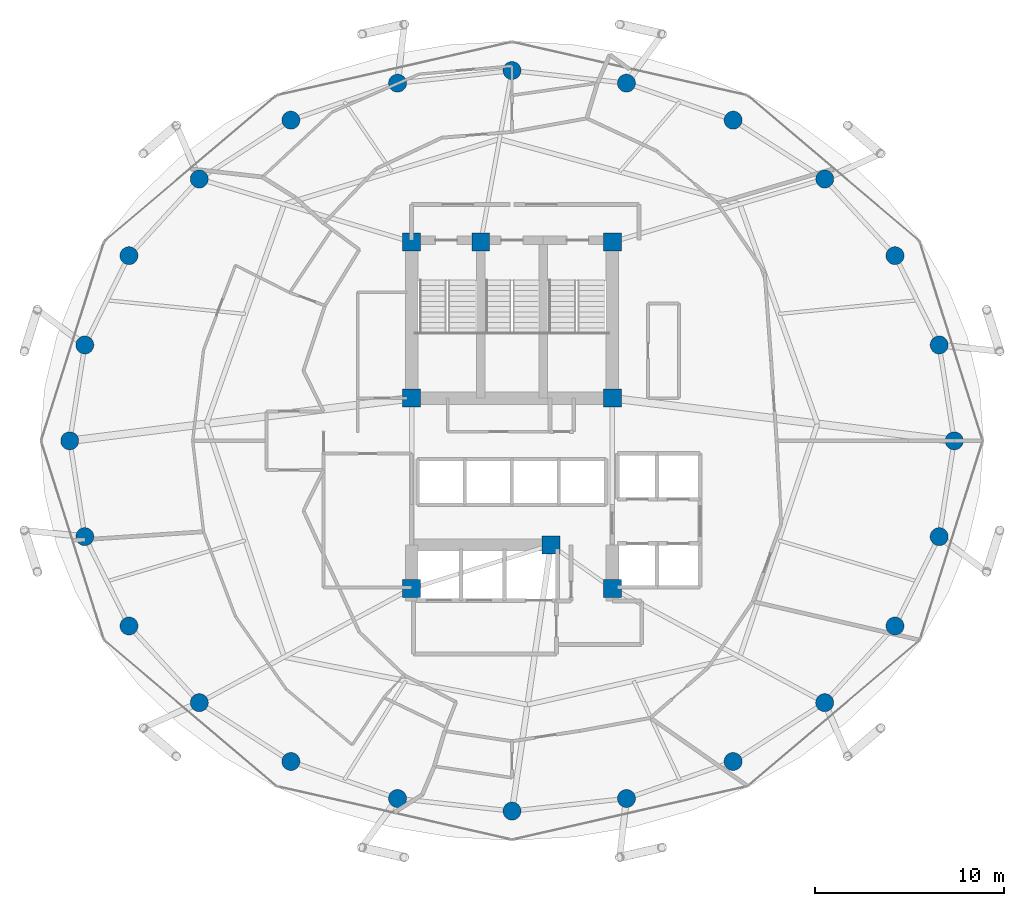
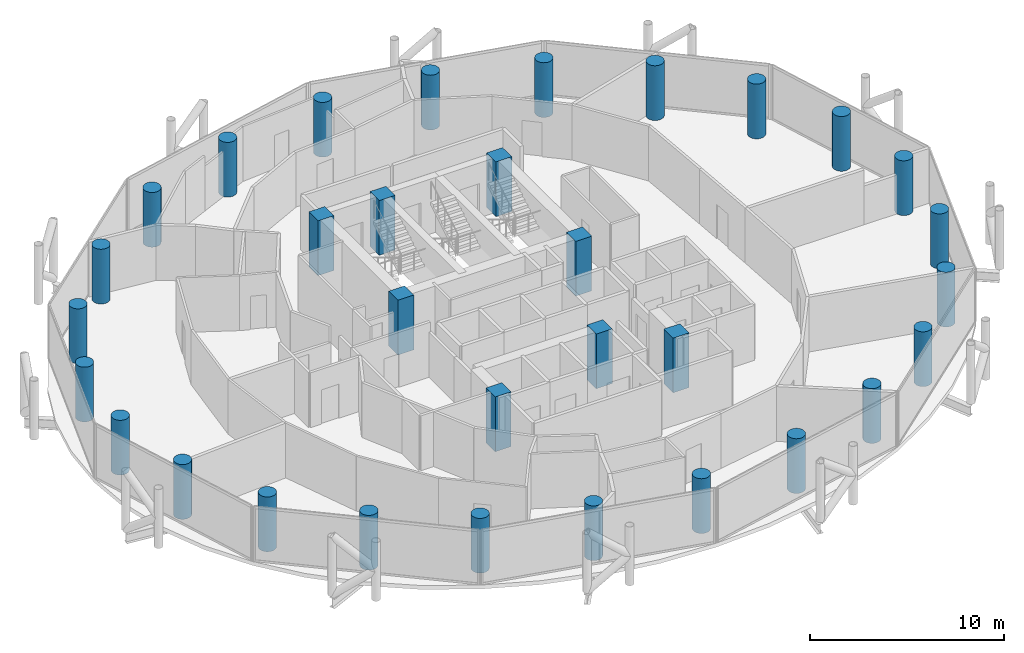
# One storey, part 1 of 26: 32 columns.
"""IFC4 building model written with IfcOpenShell, lengths in metres."""

from ifc_helpers import new_model, si_unit, direction, frame, origin, origin_2d, place, context, subcontext, project, spatial, rectangle, circle, extrude, material, material_profile, profile_set, type_object, element, save


model = new_model("IFC4")

# Units and contexts
model_context = context("Model", 3, precision=1e-05, world=origin(), true_north=direction((0.0, 1.0)))
body_context = subcontext(model_context, "Body", "Model", "MODEL_VIEW")
ifc_project = project(units=[si_unit("LENGTHUNIT", "METRE"), si_unit("AREAUNIT", "SQUARE_METRE"), si_unit("VOLUMEUNIT", "CUBIC_METRE"), si_unit("PLANEANGLEUNIT", "RADIAN"), si_unit("MASSUNIT", "GRAM", prefix="KILO")], contexts=[model_context])

# Site, building, storey
site_placement = place(None, origin())
site = spatial("IfcSite", under=ifc_project, at=site_placement, CompositionType="ELEMENT")
building_placement = place(site_placement, origin())
building = spatial("IfcBuilding", under=site, at=building_placement, Name="Nuhasar Tower", CompositionType="ELEMENT")
storey_placement = place(building_placement, frame((0.0, 0.0, 155.25)))
storey = spatial("IfcBuildingStorey", under=building, at=storey_placement, Name="L37", CompositionType="ELEMENT", Elevation=155.25)

# Columns
ifc_material = material(Name="Concrete C65/80", Category="concrete")
ifc_material_profile_1 = material_profile(ifc_material, circle(Radius=0.47509765625, at=origin_2d()), Name="CFT950")
ifc_profile_set_1 = profile_set([ifc_material_profile_1], Name="Concrete C65/80")
column_type_1 = type_object("IfcColumnType", Name="COL-CFT-950", PredefinedType="COLUMN", material=ifc_profile_set_1)
for number, where, z_axis, x_axis, name in (
    (1, (62.35009765625, 26.800048828125, 0.0), (0.0, 0.0, 1.0), (1.0, 0.0, 0.0), "L37 Perimeter Composite Column TC-01"),
    (2, (61.553955078125, 31.860107421875, 0.0), (0.0, 0.0, 1.0), (1.0, 0.0, 0.0), "L37 Perimeter Composite Column TC-02"),
    (3, (59.221923828125, 36.574951171875, 0.0), (0.0, 0.0, 1.0), (1.0, 0.0, 0.0), "L37 Perimeter Composite Column TC-03"),
    (4, (55.510986328125, 40.6240234375, 0.0), (0.0, 0.0, 1.0), (1.0, 0.0, 0.0), "L37 Perimeter Composite Column TC-04"),
    (5, (50.675048828125, 43.73095703125, 0.0), (0.0, 0.0, 1.0), (1.0, 0.0, 0.0), "L37 Perimeter Composite Column TC-05"),
    (6, (45.04296875, 45.68408203125, 0.0), (0.0, 0.0, 1.0), (1.0, 0.0, 0.0), "L37 Perimeter Composite Column TC-06"),
    (7, (39.0, 46.35009765625, 0.0), (0.0, 0.0, 1.0), (1.0, 0.0, 0.0), "L37 Perimeter Composite Column TC-07"),
    (8, (32.95703125, 45.68408203125, 0.0), (0.0, 0.0, 1.0), (1.0, 0.0, 0.0), "L37 Perimeter Composite Column TC-08"),
    (9, (27.324951171875, 43.73095703125, 0.0), (0.0, 0.0, 1.0), (1.0, 0.0, 0.0), "L37 Perimeter Composite Column TC-09"),
    (10, (22.489013671875, 40.6240234375, 0.0), (0.0, 0.0, 1.0), (1.0, 0.0, 0.0), "L37 Perimeter Composite Column TC-10"),
    (11, (18.778076171875, 36.574951171875, 0.0), (0.0, 0.0, 1.0), (1.0, 0.0, 0.0), "L37 Perimeter Composite Column TC-11"),
    (12, (16.446044921875, 31.860107421875, 0.0), (0.0, 0.0, 1.0), (1.0, 0.0, 0.0), "L37 Perimeter Composite Column TC-12"),
    (13, (15.64990234375, 26.800048828125, 0.0), (0.0, 0.0, 1.0), (1.0, 0.0, 0.0), "L37 Perimeter Composite Column TC-13"),
    (14, (16.446044921875, 21.739990234375, 0.0), (0.0, 0.0, 1.0), (1.0, 0.0, 0.0), "L37 Perimeter Composite Column TC-14"),
    (15, (18.778076171875, 17.02490234375, 0.0), (0.0, 0.0, 1.0), (1.0, 0.0, 0.0), "L37 Perimeter Composite Column TC-15"),
    (16, (22.489013671875, 12.97607421875, 0.0), (0.0, 0.0, 1.0), (1.0, 0.0, 0.0), "L37 Perimeter Composite Column TC-16"),
    (17, (27.324951171875, 9.868896484375, 0.0), (0.0, 0.0, 1.0), (1.0, 0.0, 0.0), "L37 Perimeter Composite Column TC-17"),
    (18, (32.95703125, 7.916015625, 0.0), (0.0, 0.0, 1.0), (1.0, 0.0, 0.0), "L37 Perimeter Composite Column TC-18"),
    (19, (39.0, 7.25, 0.0), (0.0, 0.0, 1.0), (1.0, 0.0, 0.0), "L37 Perimeter Composite Column TC-19"),
    (20, (45.04296875, 7.916015625, 0.0), (0.0, 0.0, 1.0), (1.0, 0.0, 0.0), "L37 Perimeter Composite Column TC-20"),
    (21, (50.675048828125, 9.868896484375, 0.0), (0.0, 0.0, 1.0), (1.0, 0.0, 0.0), "L37 Perimeter Composite Column TC-21"),
    (22, (55.510986328125, 12.97607421875, 0.0), (0.0, 0.0, 1.0), (1.0, 0.0, 0.0), "L37 Perimeter Composite Column TC-22"),
    (23, (59.221923828125, 17.02490234375, 0.0), (0.0, 0.0, 1.0), (1.0, 0.0, 0.0), "L37 Perimeter Composite Column TC-23"),
    (24, (61.553955078125, 21.739990234375, 0.0), (0.0, 0.0, 1.0), (1.0, 0.0, 0.0), "L37 Perimeter Composite Column TC-24"),
):
    element("IfcColumn", number, at=place(storey_placement, frame(where, z_axis=z_axis, x_axis=x_axis)), inside=storey, type_object=column_type_1, Name=name, PredefinedType="COLUMN", context=body_context, shape_type="SweptSolid", body=[
        extrude(circle(Radius=0.47509765625, at=origin_2d()), origin(), (0.0, 0.0, 1.0), 3.449951171875),
    ])
ifc_material_profile_2 = material_profile(ifc_material, rectangle(XDim=0.949951171875, YDim=0.949951171875, at=origin_2d()), Name="RC950X950")
ifc_profile_set_2 = profile_set([ifc_material_profile_2], Name="Concrete C65/80")
column_type_2 = type_object("IfcColumnType", Name="PIL-RC-950", PredefinedType="PILASTER", material=ifc_profile_set_2)
for number, where, z_axis, x_axis, name in (
    (25, (33.699951171875, 19.0, 0.0), (0.0, 0.0, 1.0), (1.0, 0.0, 0.0), "L37 Core Boundary Pilaster CC-01"),
    (26, (41.050048828125, 21.300048828125, 0.0), (0.0, 0.0, 1.0), (1.0, 0.0, 0.0), "L37 Core Boundary Pilaster CC-02"),
    (27, (44.300048828125, 19.0, 0.0), (0.0, 0.0, 1.0), (1.0, 0.0, 0.0), "L37 Core Boundary Pilaster CC-03"),
    (28, (44.300048828125, 29.050048828125, 0.0), (0.0, 0.0, 1.0), (1.0, 0.0, 0.0), "L37 Core Boundary Pilaster CC-04"),
    (29, (44.300048828125, 37.300048828125, 0.0), (0.0, 0.0, 1.0), (1.0, 0.0, 0.0), "L37 Core Boundary Pilaster CC-05"),
    (30, (37.35009765625, 37.300048828125, 0.0), (0.0, 0.0, 1.0), (1.0, 0.0, 0.0), "L37 Core Boundary Pilaster CC-06"),
    (31, (33.699951171875, 37.300048828125, 0.0), (0.0, 0.0, 1.0), (1.0, 0.0, 0.0), "L37 Core Boundary Pilaster CC-07"),
    (32, (33.699951171875, 29.050048828125, 0.0), (0.0, 0.0, 1.0), (1.0, 0.0, 0.0), "L37 Core Boundary Pilaster CC-08"),
):
    element("IfcColumn", number, at=place(storey_placement, frame(where, z_axis=z_axis, x_axis=x_axis)), inside=storey, type_object=column_type_2, Name=name, PredefinedType="PILASTER", context=body_context, shape_type="SweptSolid", body=[
        extrude(rectangle(XDim=0.949951171875, YDim=0.949951171875, at=origin_2d()), origin(), (0.0, 0.0, 1.0), 3.449951171875),
    ])

save(model, "model.ifc")
